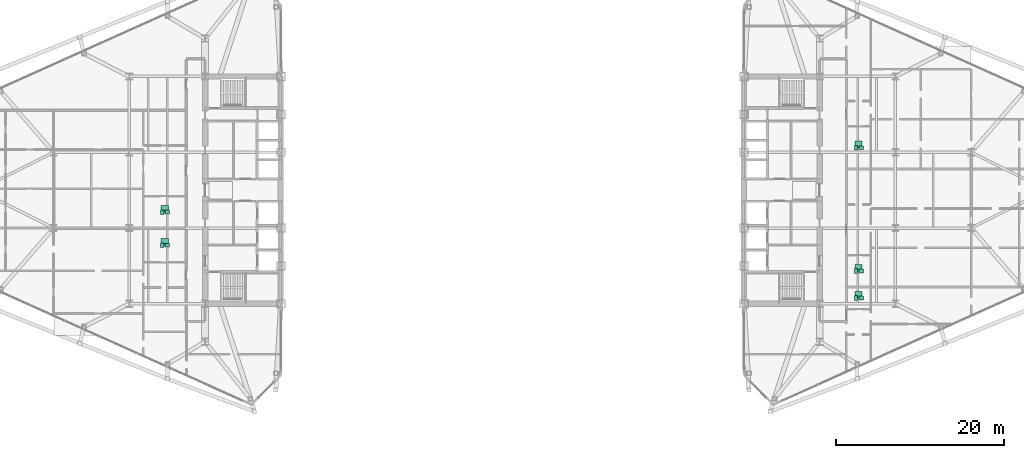
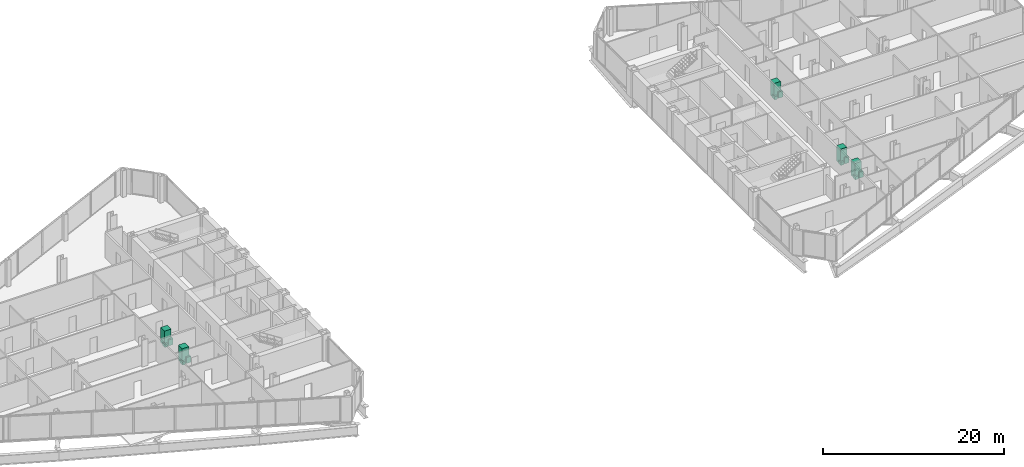
# One storey, part 29 of 29: 15 sanitary terminals.
"""IFC4 building model written with IfcOpenShell, lengths in metres."""

from ifc_helpers import new_model, si_unit, direction, frame, origin, origin_2d, place, context, subcontext, project, spatial, rectangle, extrude, source, transform, mapped, material, type_object, type_shapes, element, save


model = new_model("IFC4")

# Units and contexts
model_context = context("Model", 3, precision=1e-05, world=origin(), true_north=direction((0.0, 1.0)))
body_context = subcontext(model_context, "Body", "Model", "MODEL_VIEW")
ifc_project = project(units=[si_unit("LENGTHUNIT", "METRE"), si_unit("AREAUNIT", "SQUARE_METRE"), si_unit("VOLUMEUNIT", "CUBIC_METRE"), si_unit("PLANEANGLEUNIT", "RADIAN"), si_unit("MASSUNIT", "GRAM", prefix="KILO")], contexts=[model_context])

# Site, building, storey
site_placement = place(None, origin())
site = spatial("IfcSite", under=ifc_project, at=site_placement, CompositionType="ELEMENT")
building_placement = place(site_placement, origin())
building = spatial("IfcBuilding", under=site, at=building_placement, Name="Seokmaru Belvedere", CompositionType="ELEMENT")
storey_placement = place(building_placement, frame((0.0, 0.0, 62.10009765625)))
storey = spatial("IfcBuildingStorey", under=building, at=storey_placement, Name="L16", CompositionType="ELEMENT", Elevation=62.10009765625)

# Sanitary terminals
ifc_material_1 = material(Name="Vitreous China Sanitaryware")
sanitary_terminal_type_1 = type_object("IfcSanitaryTerminalType", Name="Wall-Hung Vitreous China WC Pan", PredefinedType="TOILETPAN", material=ifc_material_1)
shared_shape_1 = source(origin(), body_context, "Body", "SweptSolid", [
    extrude(rectangle(XDim=0.3798828125, YDim=0.56005859375, at=origin_2d()), origin(), (0.0, 0.0, 1.0), 0.419921875),
])
type_shapes(sanitary_terminal_type_1, [shared_shape_1])
for number, where, z_axis, x_axis, name in (
    (1, (-41.60009765625, -6.5390625, 0.0), (0.0, 0.0, 1.0), (1.0, 0.0, 0.0), "L16 Vitreous China WC 0094"),
    (2, (-41.60009765625, -2.611083984375, 0.0), (0.0, 0.0, 1.0), (1.0, 0.0, 0.0), "L16 Vitreous China WC 0095"),
    (3, (40.824951171875, -12.822021484375, 0.0), (0.0, 0.0, 1.0), (1.0, 0.0, 0.0), "L16 Vitreous China WC 0096"),
    (4, (40.824951171875, -9.611083984375, 0.0), (0.0, 0.0, 1.0), (1.0, 0.0, 0.0), "L16 Vitreous China WC 0097"),
    (5, (40.824951171875, 5.0390625, 0.0), (0.0, 0.0, 1.0), (1.0, 0.0, 0.0), "L16 Vitreous China WC 0098"),
):
    element("IfcSanitaryTerminal", number, at=place(storey_placement, frame(where, z_axis=z_axis, x_axis=x_axis)), inside=storey, type_object=sanitary_terminal_type_1, Name=name, PredefinedType="TOILETPAN", context=body_context, shape_type="MappedRepresentation", body=[
        mapped(shared_shape_1, transform((0.0, 0.0, 0.0), scale=1.0)),
    ])
sanitary_terminal_type_2 = type_object("IfcSanitaryTerminalType", Name="Countertop Ceramic Washhand Basin", PredefinedType="WASHHANDBASIN", material=ifc_material_1)
shared_shape_2 = source(origin(), body_context, "Body", "SweptSolid", [
    extrude(rectangle(XDim=0.550048828125, YDim=0.449951171875, at=origin_2d()), origin(), (0.0, 0.0, 1.0), 0.820068359375),
])
type_shapes(sanitary_terminal_type_2, [shared_shape_2])
for number, where, z_axis, x_axis, name in (
    (6, (-41.0, -6.5390625, 0.0), (0.0, 0.0, 1.0), (1.0, 0.0, 0.0), "L16 Ceramic Washhand Basin 0094"),
    (7, (-41.0, -2.611083984375, 0.0), (0.0, 0.0, 1.0), (1.0, 0.0, 0.0), "L16 Ceramic Washhand Basin 0095"),
    (8, (41.425048828125, -12.822021484375, 0.0), (0.0, 0.0, 1.0), (1.0, 0.0, 0.0), "L16 Ceramic Washhand Basin 0096"),
    (9, (41.425048828125, -9.611083984375, 0.0), (0.0, 0.0, 1.0), (1.0, 0.0, 0.0), "L16 Ceramic Washhand Basin 0097"),
    (10, (41.425048828125, 5.0390625, 0.0), (0.0, 0.0, 1.0), (1.0, 0.0, 0.0), "L16 Ceramic Washhand Basin 0098"),
):
    element("IfcSanitaryTerminal", number, at=place(storey_placement, frame(where, z_axis=z_axis, x_axis=x_axis)), inside=storey, type_object=sanitary_terminal_type_2, Name=name, PredefinedType="WASHHANDBASIN", context=body_context, shape_type="MappedRepresentation", body=[
        mapped(shared_shape_2, transform((0.0, 0.0, 0.0), scale=1.0)),
    ])
ifc_material_2 = material(Name="Stainless Steel 316", Category="steel")
sanitary_terminal_type_3 = type_object("IfcSanitaryTerminalType", Name="Walk-In Thermostatic Rain Shower Enclosure", PredefinedType="SHOWER", material=ifc_material_2)
shared_shape_3 = source(origin(), body_context, "Body", "SweptSolid", [
    extrude(rectangle(XDim=0.85009765625, YDim=0.85009765625, at=origin_2d()), origin(), (0.0, 0.0, 1.0), 2.050048828125),
])
type_shapes(sanitary_terminal_type_3, [shared_shape_3])
for number, where, z_axis, x_axis, name in (
    (11, (-41.300048828125, -6.158935546875, 0.0), (0.0, 0.0, 1.0), (1.0, 0.0, 0.0), "L16 Walk-In Shower 0094"),
    (12, (-41.300048828125, -2.23095703125, 0.0), (0.0, 0.0, 1.0), (1.0, 0.0, 0.0), "L16 Walk-In Shower 0095"),
    (13, (41.125, -12.44189453125, 0.0), (0.0, 0.0, 1.0), (1.0, 0.0, 0.0), "L16 Walk-In Shower 0096"),
    (14, (41.125, -9.23095703125, 0.0), (0.0, 0.0, 1.0), (1.0, 0.0, 0.0), "L16 Walk-In Shower 0097"),
    (15, (41.125, 5.4189453125, 0.0), (0.0, 0.0, 1.0), (1.0, 0.0, 0.0), "L16 Walk-In Shower 0098"),
):
    element("IfcSanitaryTerminal", number, at=place(storey_placement, frame(where, z_axis=z_axis, x_axis=x_axis)), inside=storey, type_object=sanitary_terminal_type_3, Name=name, PredefinedType="SHOWER", context=body_context, shape_type="MappedRepresentation", body=[
        mapped(shared_shape_3, transform((0.0, 0.0, 0.0), scale=1.0)),
    ])

save(model, "model.ifc")
